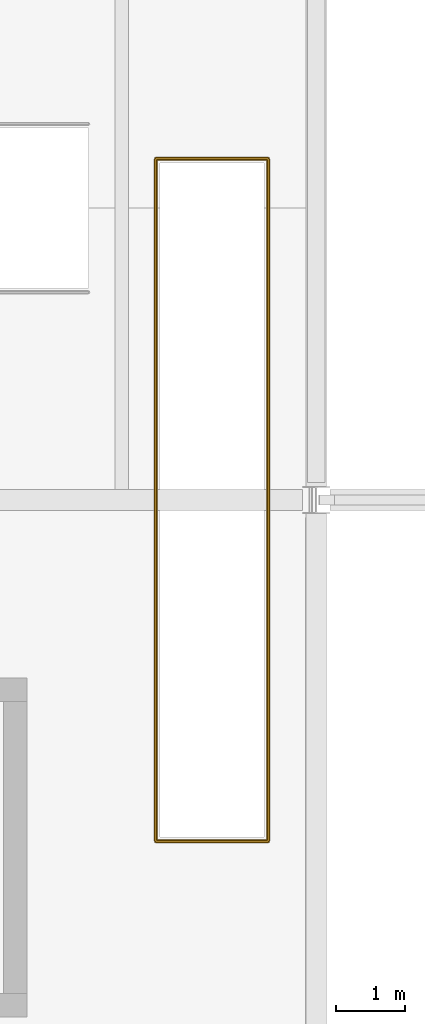
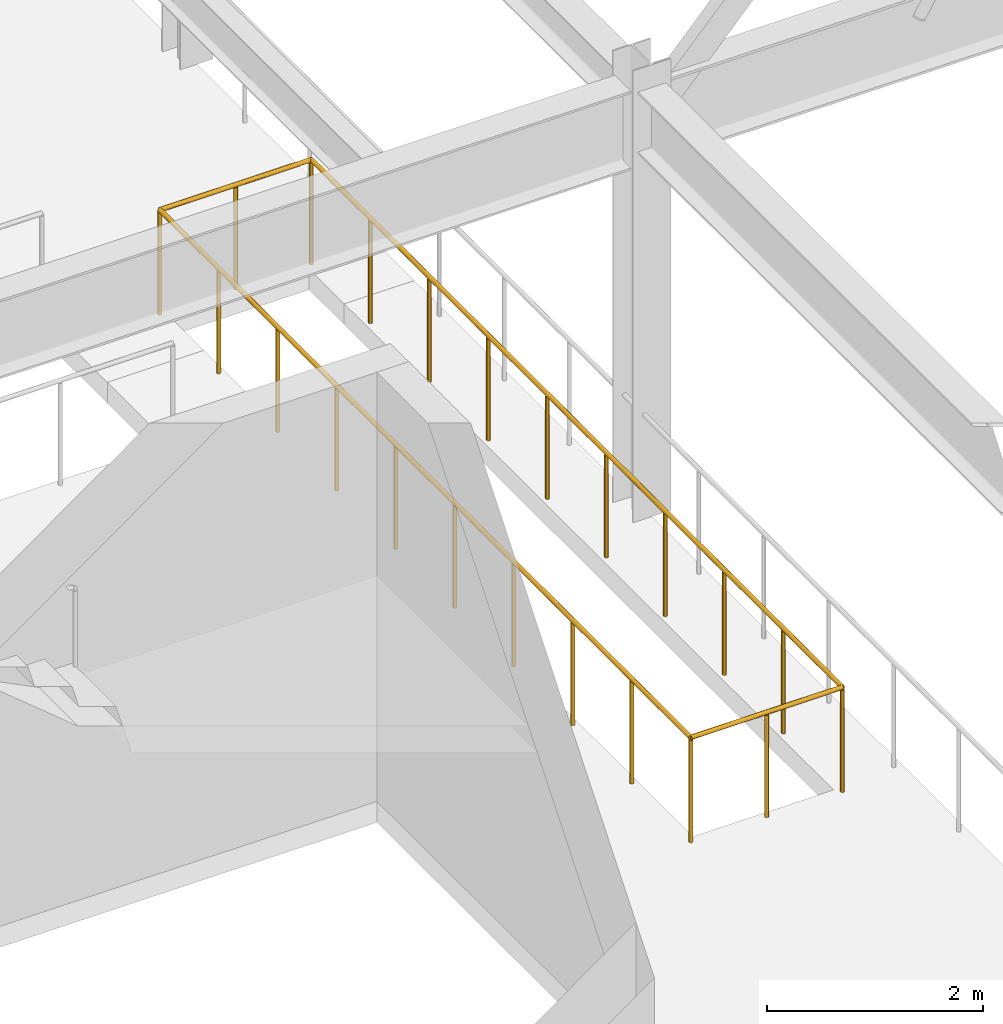
# One storey, part 91 of 103: 1 railing.
"""IFC4 building model written with IfcOpenShell, lengths in metres."""

from ifc_helpers import new_model, si_unit, direction, frame, origin, origin_2d, place, context, subcontext, project, spatial, circle, extrude, material, type_object, element, save


model = new_model("IFC4")

# Units and contexts
model_context = context("Model", 3, precision=1e-05, world=origin(), true_north=direction((0.0, 1.0)))
body_context = subcontext(model_context, "Body", "Model", "MODEL_VIEW")
ifc_project = project(units=[si_unit("LENGTHUNIT", "METRE"), si_unit("AREAUNIT", "SQUARE_METRE"), si_unit("VOLUMEUNIT", "CUBIC_METRE"), si_unit("PLANEANGLEUNIT", "RADIAN"), si_unit("MASSUNIT", "GRAM", prefix="KILO"), si_unit("THERMODYNAMICTEMPERATUREUNIT", "KELVIN")], contexts=[model_context])

# Site, building, storey
site_placement = place(None, origin())
site = spatial("IfcSite", under=ifc_project, at=site_placement, CompositionType="ELEMENT")
building_placement = place(site_placement, origin())
building = spatial("IfcBuilding", under=site, at=building_placement, Name="Lustrewick Department Store", CompositionType="ELEMENT")
storey_placement = place(building_placement, frame((0.0, 0.0, 16.5)))
storey = spatial("IfcBuildingStorey", under=building, at=storey_placement, Name="L04", CompositionType="ELEMENT", Elevation=16.5)

# Railing
ifc_material = material(Name="Laminated safety glass and bronze atrium balustrade", Category="glass")
railing_type = type_object("IfcRailingType", Name="RL-BAL", PredefinedType="BALUSTRADE", material=ifc_material)
railing_placement = place(storey_placement, frame((73.2900390625, 62.2900390625, 0.0)))
element("IfcRailing", 1, at=railing_placement, inside=storey, type_object=railing_type, Name="L04 V2 Escalator Well Balustrade 0039", PredefinedType="BALUSTRADE", context=body_context, shape_type="SweptSolid", body=[
    extrude(circle(Radius=0.02392578125, at=origin_2d()), frame((0.0, 0.0, 1.17578125), z_axis=(0.0, 1.0, 0.0), x_axis=(-1.0, 0.0, 0.0)), (0.0, 0.0, 1.0), 9.820068359375),
    extrude(circle(Radius=0.02392578125, at=origin_2d()), frame((0.0, 9.820068359375, 1.17578125), z_axis=(1.0, 0.0, 0.0), x_axis=(0.0, 1.0, 0.0)), (0.0, 0.0, 1.0), 1.619873046875),
    extrude(circle(Radius=0.02392578125, at=origin_2d()), frame((1.619873046875, 9.820068359375, 1.17578125), z_axis=(0.0, -1.0, 0.0), x_axis=(1.0, 0.0, 0.0)), (0.0, 0.0, 1.0), 9.820068359375),
    extrude(circle(Radius=0.02392578125, at=origin_2d()), frame((1.619873046875, 0.0, 1.17578125), z_axis=(-1.0, 0.0, 0.0), x_axis=(0.0, -1.0, 0.0)), (0.0, 0.0, 1.0), 1.619873046875),
    extrude(circle(Radius=0.02099609375, at=origin_2d()), origin(), (0.0, 0.0, 1.0), 1.15185546875),
    extrude(circle(Radius=0.02099609375, at=origin_2d()), frame((0.0, 1.091064453125, 0.0)), (0.0, 0.0, 1.0), 1.15185546875),
    extrude(circle(Radius=0.02099609375, at=origin_2d()), frame((0.0, 2.18212890625, 0.0)), (0.0, 0.0, 1.0), 1.15185546875),
    extrude(circle(Radius=0.02099609375, at=origin_2d()), frame((0.0, 3.2734375, 0.0)), (0.0, 0.0, 1.0), 1.15185546875),
    extrude(circle(Radius=0.02099609375, at=origin_2d()), frame((0.0, 4.364501953125, 0.0)), (0.0, 0.0, 1.0), 1.15185546875),
    extrude(circle(Radius=0.02099609375, at=origin_2d()), frame((0.0, 5.45556640625, 0.0)), (0.0, 0.0, 1.0), 1.15185546875),
    extrude(circle(Radius=0.02099609375, at=origin_2d()), frame((0.0, 6.546630859375, 0.0)), (0.0, 0.0, 1.0), 1.15185546875),
    extrude(circle(Radius=0.02099609375, at=origin_2d()), frame((0.0, 7.637939453125, 0.0)), (0.0, 0.0, 1.0), 1.15185546875),
    extrude(circle(Radius=0.02099609375, at=origin_2d()), frame((0.0, 8.72900390625, 0.0)), (0.0, 0.0, 1.0), 1.15185546875),
    extrude(circle(Radius=0.02099609375, at=origin_2d()), frame((0.0, 9.820068359375, 0.0)), (0.0, 0.0, 1.0), 1.15185546875),
    extrude(circle(Radius=0.02099609375, at=origin_2d()), frame((0.81005859375, 9.820068359375, 0.0)), (0.0, 0.0, 1.0), 1.15185546875),
    extrude(circle(Radius=0.02099609375, at=origin_2d()), frame((1.619873046875, 9.820068359375, 0.0)), (0.0, 0.0, 1.0), 1.15185546875),
    extrude(circle(Radius=0.02099609375, at=origin_2d()), frame((1.619873046875, 8.72900390625, 0.0)), (0.0, 0.0, 1.0), 1.15185546875),
    extrude(circle(Radius=0.02099609375, at=origin_2d()), frame((1.619873046875, 7.637939453125, 0.0)), (0.0, 0.0, 1.0), 1.15185546875),
    extrude(circle(Radius=0.02099609375, at=origin_2d()), frame((1.619873046875, 6.546630859375, 0.0)), (0.0, 0.0, 1.0), 1.15185546875),
    extrude(circle(Radius=0.02099609375, at=origin_2d()), frame((1.619873046875, 5.45556640625, 0.0)), (0.0, 0.0, 1.0), 1.15185546875),
    extrude(circle(Radius=0.02099609375, at=origin_2d()), frame((1.619873046875, 4.364501953125, 0.0)), (0.0, 0.0, 1.0), 1.15185546875),
    extrude(circle(Radius=0.02099609375, at=origin_2d()), frame((1.619873046875, 3.2734375, 0.0)), (0.0, 0.0, 1.0), 1.15185546875),
    extrude(circle(Radius=0.02099609375, at=origin_2d()), frame((1.619873046875, 2.18212890625, 0.0)), (0.0, 0.0, 1.0), 1.15185546875),
    extrude(circle(Radius=0.02099609375, at=origin_2d()), frame((1.619873046875, 1.091064453125, 0.0)), (0.0, 0.0, 1.0), 1.15185546875),
    extrude(circle(Radius=0.02099609375, at=origin_2d()), frame((1.619873046875, 0.0, 0.0)), (0.0, 0.0, 1.0), 1.15185546875),
    extrude(circle(Radius=0.02099609375, at=origin_2d()), frame((0.81005859375, 0.0, 0.0)), (0.0, 0.0, 1.0), 1.15185546875),
])

save(model, "model.ifc")
